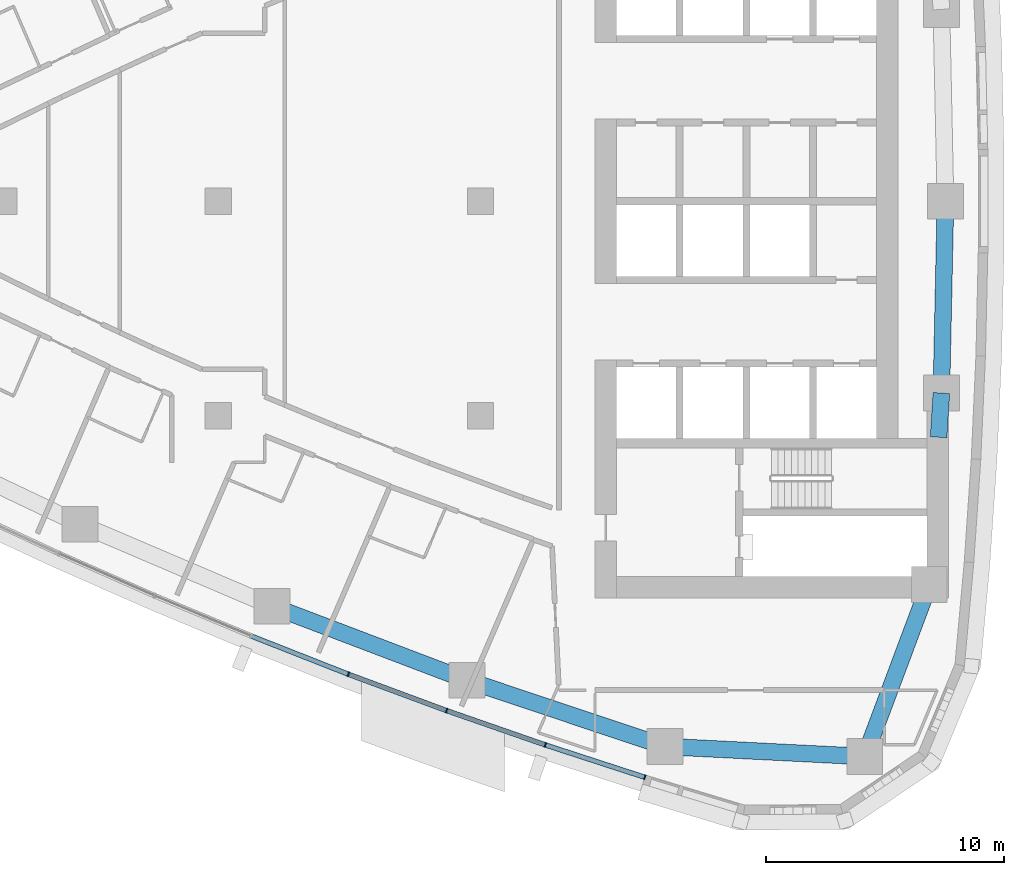
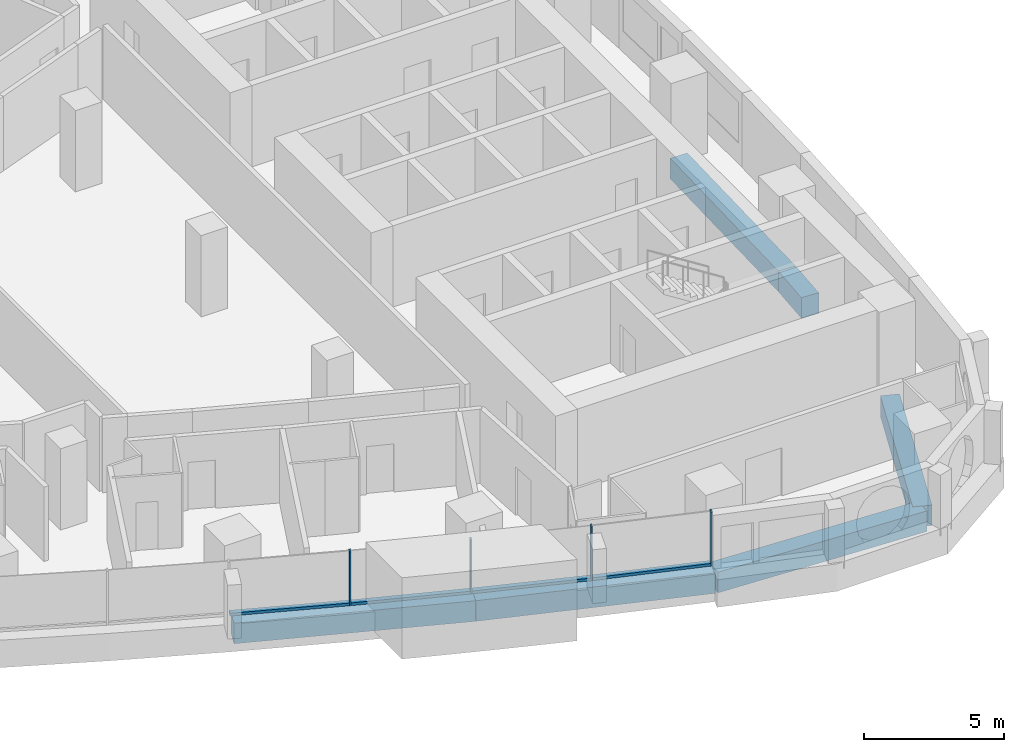
# One storey, part 3 of 17: 8 members, 6 beams, 2 elements without a shape of their own.
"""IFC4 building model written with IfcOpenShell, lengths in metres."""

from ifc_helpers import new_model, si_unit, direction, frame, origin, origin_2d, place, context, subcontext, project, spatial, rectangle, extrude, material, layer, layer_set, material_profile, profile_set, type_object, element, aggregate, save


model = new_model("IFC4")

# Units and contexts
model_context = context("Model", 3, precision=1e-05, world=origin(), true_north=direction((0.0, 1.0)))
body_context = subcontext(model_context, "Body", "Model", "MODEL_VIEW")
ifc_project = project(units=[si_unit("LENGTHUNIT", "METRE"), si_unit("AREAUNIT", "SQUARE_METRE"), si_unit("VOLUMEUNIT", "CUBIC_METRE"), si_unit("PLANEANGLEUNIT", "RADIAN"), si_unit("MASSUNIT", "GRAM", prefix="KILO")], contexts=[model_context])

# Site, building, storey
site_placement = place(None, origin())
site = spatial("IfcSite", under=ifc_project, at=site_placement, CompositionType="ELEMENT")
building_placement = place(site_placement, origin())
building = spatial("IfcBuilding", under=site, at=building_placement, Name="Ostrand Prow Hotel Tower", CompositionType="ELEMENT")
storey_placement = place(building_placement, frame((0.0, 0.0, 151.5)))
storey = spatial("IfcBuildingStorey", under=building, at=storey_placement, Name="L37", CompositionType="ELEMENT", Elevation=151.5)

# Beams
ifc_material_1 = material(Name="Concrete C70/85", Category="concrete")
ifc_material_profile_1 = material_profile(ifc_material_1, rectangle(XDim=0.699951171875, YDim=0.89990234375, at=origin_2d()), Name="RC 700x900")
ifc_profile_set_1 = profile_set([ifc_material_profile_1], Name="Concrete C70/85")
beam_type = type_object("IfcBeamType", Name="Edge beam 700x900 C70/85", PredefinedType="SPANDREL", material=ifc_profile_set_1)
for number, where, z_axis, x_axis, name in (
    (1, (36.255615234375, -16.98388671875, -0.75), (0.93479358236, -0.355191439055, 0.0), (0.355191439055, 0.93479358236, 0.0), "Edge beam S4-S5"),
    (2, (44.438232421875, -20.093017578125, -0.75), (0.948376051094, -0.317148018616, 0.0), (0.317148018616, 0.948376051094, 0.0), "Edge beam S5-S6"),
):
    element("IfcBeam", number, at=place(storey_placement, frame(where, z_axis=z_axis, x_axis=x_axis)), inside=storey, type_object=beam_type, Name=name, PredefinedType="SPANDREL", context=body_context, shape_type="SweptSolid", body=[
        extrude(rectangle(XDim=0.699951171875, YDim=0.89990234375, at=origin_2d()), origin(), (0.0, 0.0, 1.0), 8.75341796875),
    ])
beam_1_placement = place(storey_placement, frame((52.73974609375, -22.869140625, -0.75), z_axis=(0.99873741544, -0.050235196825, 0.0), x_axis=(0.050235196825, 0.99873741544, 0.0)))
element("IfcBeam", 3, at=beam_1_placement, inside=storey, type_object=beam_type, Name="Edge beam S6-SE", PredefinedType="SPANDREL", context=body_context, shape_type="SweptSolid", body=[
    extrude(rectangle(XDim=0.699951171875, YDim=0.89990234375, at=origin_2d()), origin(), (0.0, 0.0, 1.0), 8.38818359375),
])
beam_2_placement = place(storey_placement, frame((61.117431640625, -23.29052734375, -0.75), z_axis=(0.350602524344, 0.93652435629, 0.0), x_axis=(-0.93652435629, 0.350602524344, 0.0)))
element("IfcBeam", 4, at=beam_2_placement, inside=storey, type_object=beam_type, Name="Edge beam SE-B1", PredefinedType="SPANDREL", context=body_context, shape_type="SweptSolid", body=[
    extrude(rectangle(XDim=0.699951171875, YDim=0.89990234375, at=origin_2d()), origin(), (0.0, 0.0, 1.0), 7.037353515625),
])
beam_3_placement = place(storey_placement, frame((64.21142578125, -9.89990234375, -0.75), z_axis=(0.063563790544, 0.997977777574, 0.0), x_axis=(-0.997977777574, 0.063563790544, 0.0)))
element("IfcBeam", 5, at=beam_3_placement, inside=storey, type_object=beam_type, Name="Edge beam B1-B2", PredefinedType="SPANDREL", context=body_context, shape_type="SweptSolid", body=[
    extrude(rectangle(XDim=0.699951171875, YDim=0.89990234375, at=origin_2d()), origin(), (0.0, 0.0, 1.0), 1.85888671875),
])
beam_4_placement = place(storey_placement, frame((64.32958984375, -8.044677734375, -0.75), z_axis=(0.021178217658, 0.999775716397, 0.0), x_axis=(-0.999775716397, 0.021178217658, 0.0)))
element("IfcBeam", 6, at=beam_4_placement, inside=storey, type_object=beam_type, Name="Edge beam B2-B3", PredefinedType="SPANDREL", context=body_context, shape_type="SweptSolid", body=[
    extrude(rectangle(XDim=0.699951171875, YDim=0.89990234375, at=origin_2d()), origin(), (0.0, 0.0, 1.0), 8.04638671875),
])

# Curtain wall, members
ifc_material_2 = material(Name="Insulated glass in bronze anodised frame", Category="glass")
ifc_layer = layer(ifc_material_2, 0.199951171875)
ifc_layer_set = layer_set([ifc_layer], Name="Insulated glass in bronze anodised frame")
curtain_wall_type = type_object("IfcCurtainWallType", Name="Strip curtain wall, fritted glass over bronze spandrel", PredefinedType="NOTDEFINED", material=ifc_layer_set)
curtain_wall_1_placement = place(storey_placement, origin())
curtain_wall_1 = element("IfcCurtainWall", 7, at=curtain_wall_1_placement, inside=storey, type_object=curtain_wall_type, Name="CW1 run CWS4", PredefinedType="NOTDEFINED")
ifc_material_3 = material(Name="Bronze anodised aluminium", Category="aluminium")
ifc_material_profile_2 = material_profile(ifc_material_3, rectangle(XDim=0.199951171875, YDim=0.06005859375, at=origin_2d()), Name="Mullion 60x200 bronze anodised aluminium")
ifc_profile_set_2 = profile_set([ifc_material_profile_2], Name="Bronze anodised aluminium")
member_type_1 = type_object("IfcMemberType", Name="Mullion 60x200 bronze anodised aluminium", PredefinedType="MULLION", material=ifc_profile_set_2)
member_1_placement = place(storey_placement, frame((39.462158203125, -19.8408203125, 0.89990234375), z_axis=(0.0, 0.0, 1.0), x_axis=(0.347341576459, 0.937738678558, 0.0)))
member_1 = element("IfcMember", 8, at=member_1_placement, type_object=member_type_1, Name="CW1 mullion 2", PredefinedType="MULLION", context=body_context, shape_type="SweptSolid", body=[
    extrude(rectangle(XDim=0.199951171875, YDim=0.06005859375, at=origin_2d()), origin(), (0.0, 0.0, 1.0), 2.35009765625),
])
member_2_placement = place(storey_placement, frame((43.5751953125, -21.3642578125, 0.89990234375), z_axis=(0.0, 0.0, 1.0), x_axis=(0.347341576459, 0.937738678558, 0.0)))
member_2 = element("IfcMember", 9, at=member_2_placement, type_object=member_type_1, Name="CW1 mullion 3", PredefinedType="MULLION", context=body_context, shape_type="SweptSolid", body=[
    extrude(rectangle(XDim=0.199951171875, YDim=0.06005859375, at=origin_2d()), origin(), (0.0, 0.0, 1.0), 2.35009765625),
])

curtain_wall_2_placement = place(storey_placement, origin())
curtain_wall_2 = element("IfcCurtainWall", 10, at=curtain_wall_2_placement, inside=storey, type_object=curtain_wall_type, Name="CW1 run CWS5", PredefinedType="NOTDEFINED")
member_3_placement = place(storey_placement, frame((47.718017578125, -22.8046875, 0.89990234375), z_axis=(0.0, 0.0, 1.0), x_axis=(0.309380491373, 0.950938332153, 0.0)))
member_3 = element("IfcMember", 11, at=member_3_placement, type_object=member_type_1, Name="CW1 mullion 2", PredefinedType="MULLION", context=body_context, shape_type="SweptSolid", body=[
    extrude(rectangle(XDim=0.199951171875, YDim=0.06005859375, at=origin_2d()), origin(), (0.0, 0.0, 1.0), 2.35009765625),
])
member_4_placement = place(storey_placement, frame((51.888916015625, -24.16162109375, 0.89990234375), z_axis=(0.0, 0.0, 1.0), x_axis=(0.309380491373, 0.950938332153, 0.0)))
member_4 = element("IfcMember", 12, at=member_4_placement, type_object=member_type_1, Name="CW1 mullion 3", PredefinedType="MULLION", context=body_context, shape_type="SweptSolid", body=[
    extrude(rectangle(XDim=0.199951171875, YDim=0.06005859375, at=origin_2d()), origin(), (0.0, 0.0, 1.0), 2.35009765625),
])

# Member
ifc_material_4 = material(Name="Bronze anodised aluminium", Category="aluminium")
ifc_material_profile_3 = material_profile(ifc_material_4, rectangle(XDim=0.199951171875, YDim=0.1201171875, at=origin_2d()), Name="Transom 120x200 bronze anodised aluminium")
ifc_profile_set_3 = profile_set([ifc_material_profile_3], Name="Bronze anodised aluminium")
member_type_2 = type_object("IfcMemberType", Name="Transom 120x200 bronze anodised aluminium", PredefinedType="USERDEFINED", material=ifc_profile_set_3)
member_5_placement = place(storey_placement, frame((35.408447265625, -18.245849609375, 0.9599609375), z_axis=(0.930563430162, -0.366130717701, 0.0), x_axis=(0.366130717701, 0.930563430162, 0.0)))
member_5 = element("IfcMember", 13, at=member_5_placement, type_object=member_type_2, Name="CW1 transom 1.1", ObjectType="TRANSOM", PredefinedType="USERDEFINED", context=body_context, shape_type="SweptSolid", body=[
    extrude(rectangle(XDim=0.199951171875, YDim=0.1201171875, at=origin_2d()), origin(), (0.0, 0.0, 1.0), 4.326171875),
])

member_6_placement = place(storey_placement, frame((39.490234375, -19.851318359375, 0.9599609375), z_axis=(0.937756929379, -0.347292299657, 0.0), x_axis=(0.347292299657, 0.937756929379, 0.0)))
member_6 = element("IfcMember", 14, at=member_6_placement, type_object=member_type_2, Name="CW1 transom 2.1", ObjectType="TRANSOM", PredefinedType="USERDEFINED", context=body_context, shape_type="SweptSolid", body=[
    extrude(rectangle(XDim=0.199951171875, YDim=0.1201171875, at=origin_2d()), origin(), (0.0, 0.0, 1.0), 4.326171875),
])

aggregate(curtain_wall_1, [member_1, member_2, member_5, member_6])

member_7_placement = place(storey_placement, frame((43.603515625, -21.3740234375, 0.9599609375), z_axis=(0.944524201162, -0.328441826538, 0.0), x_axis=(0.328441826538, 0.944524201162, 0.0)))
member_7 = element("IfcMember", 15, at=member_7_placement, type_object=member_type_2, Name="CW1 transom 1.1", ObjectType="TRANSOM", PredefinedType="USERDEFINED", context=body_context, shape_type="SweptSolid", body=[
    extrude(rectangle(XDim=0.199951171875, YDim=0.1201171875, at=origin_2d()), origin(), (0.0, 0.0, 1.0), 4.326171875),
])

member_8_placement = place(storey_placement, frame((47.74658203125, -22.81396484375, 0.9599609375), z_axis=(0.950938634958, -0.309379560643, 0.0), x_axis=(0.309379560643, 0.950938634958, 0.0)))
member_8 = element("IfcMember", 16, at=member_8_placement, type_object=member_type_2, Name="CW1 transom 2.1", ObjectType="TRANSOM", PredefinedType="USERDEFINED", context=body_context, shape_type="SweptSolid", body=[
    extrude(rectangle(XDim=0.199951171875, YDim=0.1201171875, at=origin_2d()), origin(), (0.0, 0.0, 1.0), 4.325927734375),
])

aggregate(curtain_wall_2, [member_3, member_4, member_7, member_8])

save(model, "model.ifc")
